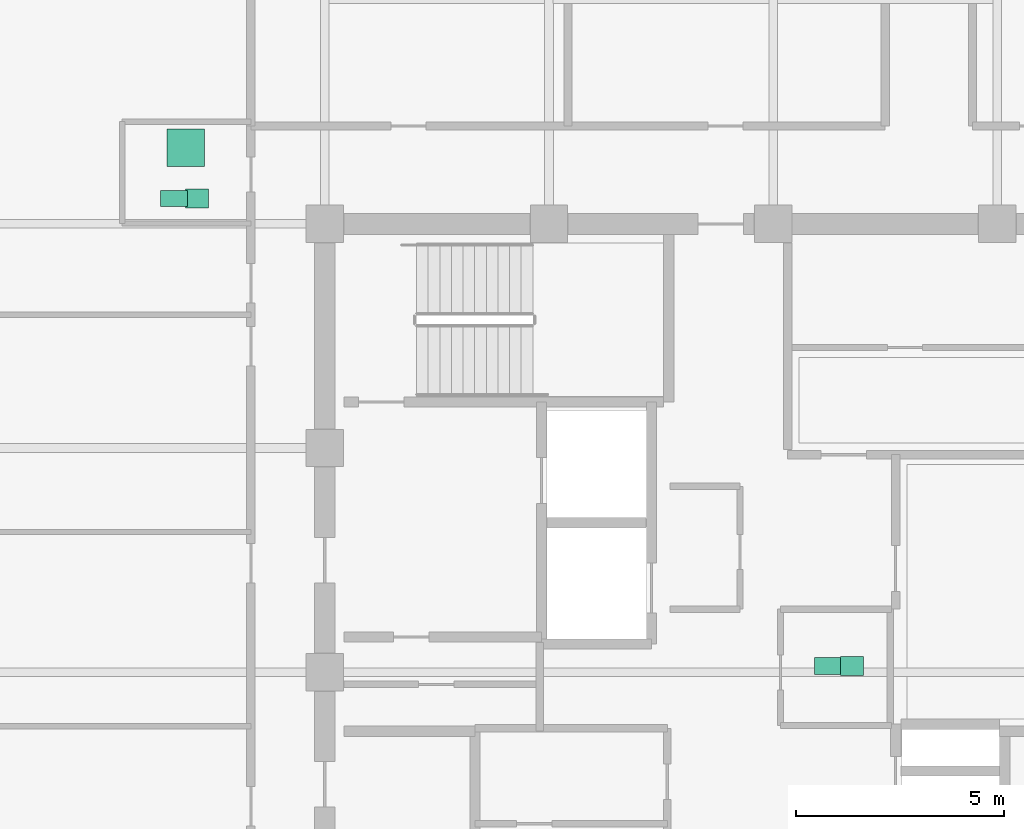
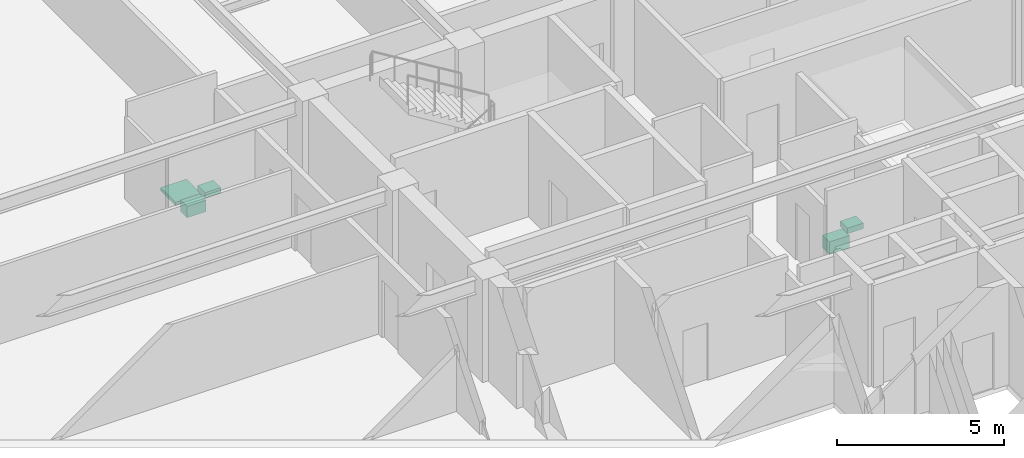
# One storey, part 31 of 31: 5 sanitary terminals.
"""IFC4 building model written with IfcOpenShell, lengths in metres."""

from ifc_helpers import new_model, si_unit, direction, frame, origin, origin_2d, place, context, subcontext, project, spatial, rectangle, extrude, material, type_object, element, save


model = new_model("IFC4")

# Units and contexts
model_context = context("Model", 3, precision=1e-05, world=origin(), true_north=direction((0.0, 1.0)))
body_context = subcontext(model_context, "Body", "Model", "MODEL_VIEW")
ifc_project = project(units=[si_unit("LENGTHUNIT", "METRE"), si_unit("AREAUNIT", "SQUARE_METRE"), si_unit("VOLUMEUNIT", "CUBIC_METRE"), si_unit("PLANEANGLEUNIT", "RADIAN"), si_unit("MASSUNIT", "GRAM", prefix="KILO")], contexts=[model_context])

# Site, building, storey
site_placement = place(None, origin())
site = spatial("IfcSite", under=ifc_project, at=site_placement, CompositionType="ELEMENT")
building_placement = place(site_placement, origin())
building = spatial("IfcBuilding", under=site, at=building_placement, Name="Surkhivell Harbour Commons", CompositionType="ELEMENT")
storey_placement = place(building_placement, frame((0.0, 0.0, 318.75)))
storey = spatial("IfcBuildingStorey", under=building, at=storey_placement, Name="L83", CompositionType="ELEMENT", Elevation=318.75)

# Sanitary terminals
ifc_material_1 = material(Name="Vitreous china washbasin", Category="other")
sanitary_terminal_type_1 = type_object("IfcSanitaryTerminalType", Name="SAN-BSN", PredefinedType="WASHHANDBASIN", material=ifc_material_1)
for number, where, z_axis, x_axis, name in (
    (1, (1.89990234375, 0.14990234375, 0.72021484375), (0.0, 0.0, 1.0), (1.0, 0.0, 0.0), "L83 Core Accessible WC Washbasin"),
    (2, (-13.8798828125, 11.409912109375, 0.72021484375), (0.0, 0.0, 1.0), (1.0, 0.0, 0.0), "L83 West Communal Bathroom WC Washbasin"),
):
    element("IfcSanitaryTerminal", number, at=place(storey_placement, frame(where, z_axis=z_axis, x_axis=x_axis)), inside=storey, type_object=sanitary_terminal_type_1, Name=name, PredefinedType="WASHHANDBASIN", context=body_context, shape_type="SweptSolid", body=[
        extrude(rectangle(XDim=0.550048828125, YDim=0.449951171875, at=origin_2d()), origin(), (0.0, 0.0, 1.0), 0.199951171875),
    ])
ifc_material_2 = material(Name="Glazed porcelain shower tray", Category="other")
sanitary_terminal_type_2 = type_object("IfcSanitaryTerminalType", Name="SAN-SHW", PredefinedType="SHOWER", material=ifc_material_2)
sanitary_terminal_1_placement = place(storey_placement, frame((-14.14990234375, 12.6298828125, 0.0), z_axis=(0.0, 0.0, 1.0), x_axis=(1.0, 0.0, 0.0)))
element("IfcSanitaryTerminal", 3, at=sanitary_terminal_1_placement, inside=storey, type_object=sanitary_terminal_type_2, Name="L83 West Communal Shower Tray", PredefinedType="SHOWER", context=body_context, shape_type="SweptSolid", body=[
    extrude(rectangle(XDim=0.89990234375, YDim=0.89990234375, at=origin_2d()), origin(), (0.0, 0.0, 1.0), 0.1201171875),
])
ifc_material_3 = material(Name="Vitreous china sanitaryware", Category="other")
sanitary_terminal_type_3 = type_object("IfcSanitaryTerminalType", Name="SAN-WC-ACC", PredefinedType="TOILETPAN", material=ifc_material_3)
sanitary_terminal_2_placement = place(storey_placement, frame((1.35009765625, 0.14990234375, 0.169921875), z_axis=(0.0, 0.0, 1.0), x_axis=(1.0, 0.0, 0.0)))
element("IfcSanitaryTerminal", 4, at=sanitary_terminal_2_placement, inside=storey, type_object=sanitary_terminal_type_3, Name="L83 Core Accessible WC", PredefinedType="TOILETPAN", context=body_context, shape_type="SweptSolid", body=[
    extrude(rectangle(XDim=0.699951171875, YDim=0.419921875, at=origin_2d()), origin(), (0.0, 0.0, 1.0), 0.4599609375),
])
sanitary_terminal_type_4 = type_object("IfcSanitaryTerminalType", Name="SAN-WC-STD", PredefinedType="TOILETPAN", material=ifc_material_3)
sanitary_terminal_3_placement = place(storey_placement, frame((-14.429931640625, 11.409912109375, 0.18994140625), z_axis=(0.0, 0.0, 1.0), x_axis=(1.0, 0.0, 0.0)))
element("IfcSanitaryTerminal", 5, at=sanitary_terminal_3_placement, inside=storey, type_object=sanitary_terminal_type_4, Name="L83 West Communal Bathroom WC", PredefinedType="TOILETPAN", context=body_context, shape_type="SweptSolid", body=[
    extrude(rectangle(XDim=0.64990234375, YDim=0.3798828125, at=origin_2d()), origin(), (0.0, 0.0, 1.0), 0.419921875),
])

save(model, "model.ifc")
